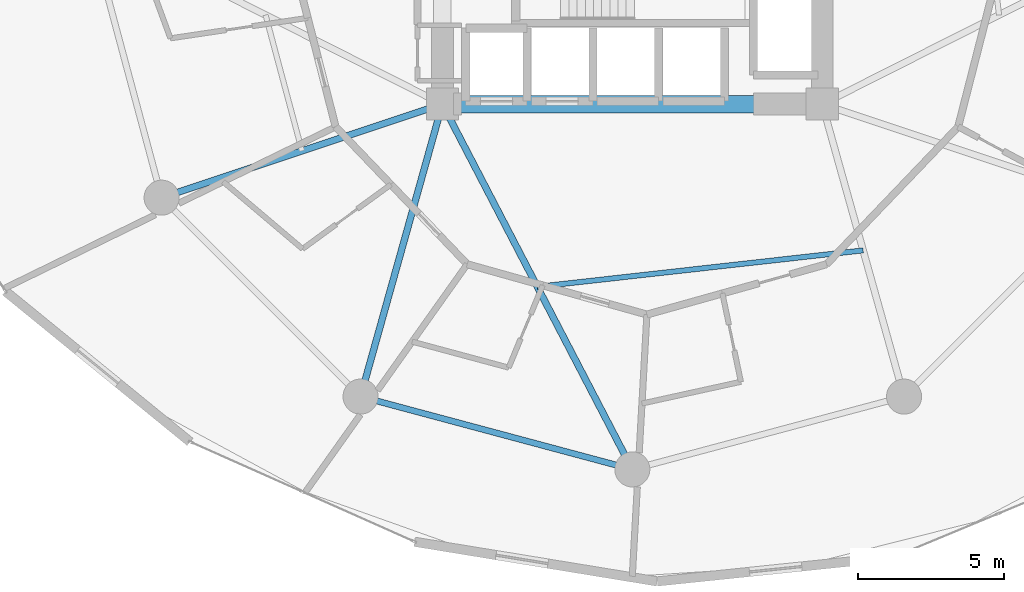
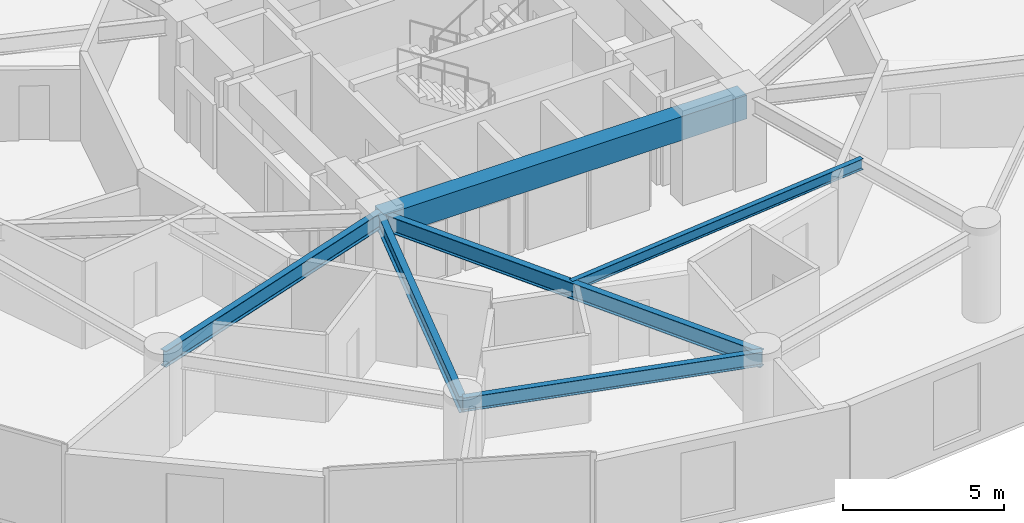
# One storey, part 4 of 26: 6 beams.
"""IFC4 building model written with IfcOpenShell, lengths in metres."""

from ifc_helpers import new_model, si_unit, direction, frame, origin, origin_2d, place, context, subcontext, project, spatial, rectangle, i_section, extrude, material, material_profile, profile_set, type_object, element, save


model = new_model("IFC4")

# Units and contexts
model_context = context("Model", 3, precision=1e-05, world=origin(), true_north=direction((0.0, 1.0)))
body_context = subcontext(model_context, "Body", "Model", "MODEL_VIEW")
ifc_project = project(units=[si_unit("LENGTHUNIT", "METRE"), si_unit("AREAUNIT", "SQUARE_METRE"), si_unit("VOLUMEUNIT", "CUBIC_METRE"), si_unit("PLANEANGLEUNIT", "RADIAN"), si_unit("MASSUNIT", "GRAM", prefix="KILO")], contexts=[model_context])

# Site, building, storey
site_placement = place(None, origin())
site = spatial("IfcSite", under=ifc_project, at=site_placement, CompositionType="ELEMENT")
building_placement = place(site_placement, origin())
building = spatial("IfcBuilding", under=site, at=building_placement, Name="Solvirekh Grand Hotel", CompositionType="ELEMENT")
storey_placement = place(building_placement, frame((0.0, 0.0, 64.39990234375)))
storey = spatial("IfcBuildingStorey", under=building, at=storey_placement, Name="L15", CompositionType="ELEMENT", Elevation=64.39990234375)

# Beams
ifc_material_1 = material(Name="Concrete C50/60", Category="concrete")
ifc_material_profile_1 = material_profile(ifc_material_1, rectangle(XDim=0.60009765625, YDim=0.89990234375, at=origin_2d()), Name="RC BEAM 600X900")
ifc_profile_set_1 = profile_set([ifc_material_profile_1], Name="Concrete C50/60")
beam_type_1 = type_object("IfcBeamType", Name="Beam_Core_RC900", PredefinedType="BEAM", material=ifc_profile_set_1)
beam_1_placement = place(storey_placement, frame((-6.5, -6.10009765625, 2.89013671875), z_axis=(1.0, 0.0, 0.0), x_axis=(0.0, 1.0, 0.0)))
element("IfcBeam", 1, at=beam_1_placement, inside=storey, type_object=beam_type_1, Name="L15 core coupling ring beam 1", PredefinedType="BEAM", context=body_context, shape_type="SweptSolid", body=[
    extrude(rectangle(XDim=0.60009765625, YDim=0.89990234375, at=origin_2d()), origin(), (0.0, 0.0, 1.0), 13.0),
])
ifc_material_2 = material(Name="Steel S355", Category="steel")
ifc_material_profile_2 = material_profile(ifc_material_2, i_section(OverallWidth=0.22802734375, OverallDepth=0.616943359375, WebThickness=0.012939453125, FlangeThickness=0.02001953125, FilletRadius=0.014892578125, at=origin_2d()), Name="W610X140")
ifc_profile_set_2 = profile_set([ifc_material_profile_2], Name="Steel S355")
beam_type_2 = type_object("IfcBeamType", Name="Beam_Radial_W610", PredefinedType="BEAM", material=ifc_profile_set_2)
beam_2_placement = place(storey_placement, frame((-6.5, -6.10009765625, 3.031005859375), z_axis=(-0.948762825819, -0.315989082635, 0.0), x_axis=(0.315989082635, -0.948762825819, 0.0)))
element("IfcBeam", 2, at=beam_2_placement, inside=storey, type_object=beam_type_2, Name="L15 radial floor beam R08", PredefinedType="BEAM", context=body_context, shape_type="SweptSolid", body=[
    extrude(i_section(OverallWidth=0.22802734375, OverallDepth=0.616943359375, WebThickness=0.012939453125, FlangeThickness=0.02001953125, FilletRadius=0.014892578125, at=origin_2d()), origin(), (0.0, 0.0, 1.0), 10.126708984375),
])
beam_3_placement = place(storey_placement, frame((-6.5, -6.10009765625, 3.031005859375), z_axis=(-0.269439084681, -0.963017434757, 0.0), x_axis=(0.963017434757, -0.269439084681, 0.0)))
element("IfcBeam", 3, at=beam_3_placement, inside=storey, type_object=beam_type_2, Name="L15 radial floor beam R09", PredefinedType="BEAM", context=body_context, shape_type="SweptSolid", body=[
    extrude(i_section(OverallWidth=0.22802734375, OverallDepth=0.616943359375, WebThickness=0.012939453125, FlangeThickness=0.02001953125, FilletRadius=0.014892578125, at=origin_2d()), origin(), (0.0, 0.0, 1.0), 10.39208984375),
])
beam_4_placement = place(storey_placement, frame((-6.5, -6.10009765625, 3.031005859375), z_axis=(0.461352736642, -0.887216801235, 0.0), x_axis=(0.887216801235, 0.461352736642, 0.0)))
element("IfcBeam", 4, at=beam_4_placement, inside=storey, type_object=beam_type_2, Name="L15 radial floor beam R10", PredefinedType="BEAM", context=body_context, shape_type="SweptSolid", body=[
    extrude(i_section(OverallWidth=0.22802734375, OverallDepth=0.616943359375, WebThickness=0.012939453125, FlangeThickness=0.02001953125, FilletRadius=0.014892578125, at=origin_2d()), origin(), (0.0, 0.0, 1.0), 14.089111328125),
])
ifc_material_profile_3 = material_profile(ifc_material_2, i_section(OverallWidth=0.177978515625, OverallDepth=0.406982421875, WebThickness=0.008056640625, FlangeThickness=0.011962890625, FilletRadius=0.011962890625, at=origin_2d()), Name="W410X60")
ifc_profile_set_3 = profile_set([ifc_material_profile_3], Name="Steel S355")
beam_type_3 = type_object("IfcBeamType", Name="Joist_Floor_W410", PredefinedType="JOIST", material=ifc_profile_set_3)
beam_5_placement = place(storey_placement, frame((-3.25, -12.35009765625, 3.135986328125), z_axis=(0.99381294191, 0.111066810937, 0.0), x_axis=(-0.111066810937, 0.99381294191, 0.0)))
element("IfcBeam", 5, at=beam_5_placement, inside=storey, type_object=beam_type_3, Name="L15 secondary composite floor joist 10", PredefinedType="JOIST", context=body_context, shape_type="SweptSolid", body=[
    extrude(i_section(OverallWidth=0.177978515625, OverallDepth=0.406982421875, WebThickness=0.008056640625, FlangeThickness=0.011962890625, FilletRadius=0.011962890625, at=origin_2d()), origin(), (0.0, 0.0, 1.0), 11.21923828125),
])
ifc_material_profile_4 = material_profile(ifc_material_2, i_section(OverallWidth=0.208984375, OverallDepth=0.532958984375, WebThickness=0.010009765625, FlangeThickness=0.014892578125, FilletRadius=0.013916015625, at=origin_2d()), Name="W530X92")
ifc_profile_set_4 = profile_set([ifc_material_profile_4], Name="Steel S355")
beam_type_4 = type_object("IfcBeamType", Name="Spandrel_Ring_W530", PredefinedType="SPANDREL", material=ifc_profile_set_4)
beam_6_placement = place(storey_placement, frame((-9.300048828125, -16.10791015625, 3.07421875), z_axis=(0.965919414426, -0.258842973314, 0.0), x_axis=(0.258842973314, 0.965919414426, 0.0)))
element("IfcBeam", 6, at=beam_6_placement, inside=storey, type_object=beam_type_4, Name="L15 perimeter spandrel beam 9", PredefinedType="SPANDREL", context=body_context, shape_type="SweptSolid", body=[
    extrude(i_section(OverallWidth=0.208984375, OverallDepth=0.532958984375, WebThickness=0.010009765625, FlangeThickness=0.014892578125, FilletRadius=0.013916015625, at=origin_2d()), origin(), (0.0, 0.0, 1.0), 9.628173828125),
])

save(model, "model.ifc")
